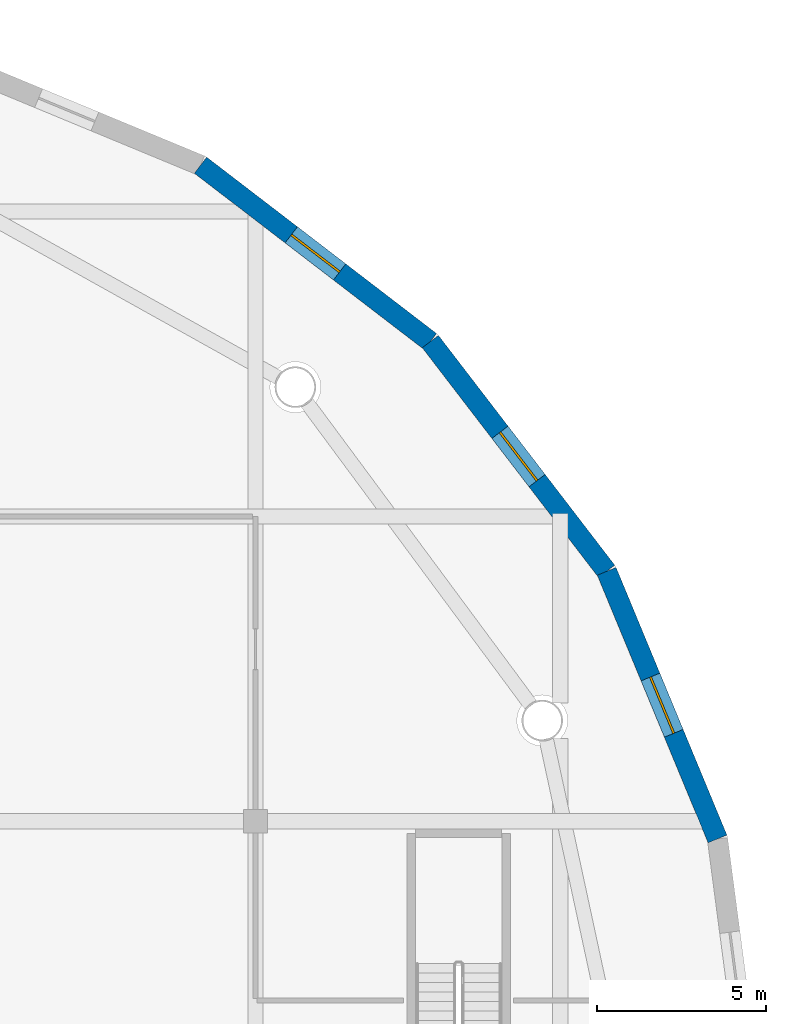
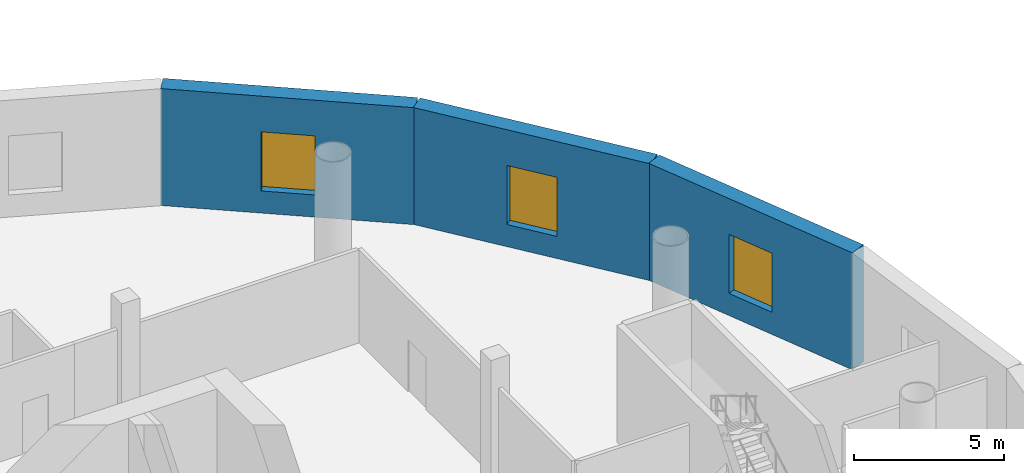
# One storey, part 12 of 22: 3 walls, 3 windows, 3 openings.
"""IFC4 building model written with IfcOpenShell, lengths in metres."""

import ifcopenshell
import ifcopenshell.guid

model = None  # the IFC model being written
_history = None  # IfcOwnerHistory: only IFC2X3 demands one
_inside = {}  # id of a spatial element -> (the spatial element, [elements in it])
_under = {}  # id of a project, library or spatial element -> (it, [spatial elements below it])
_declared = {}  # id of a project -> (the project, [libraries it declares])
_typed = {}  # id of a type object -> (the type object, [elements of that type])
_made_of = {}  # id of a material, layer set ... -> (it, [elements and type objects made of it])


def new_model(schema):
    """Start an empty IFC model of exactly this schema.

    Asked for "IFC4X3", IfcOpenShell would pick the latest addendum, in which some entities
    have other attributes; the version numbers below select the first issue.
    IFC2X3 requires an IfcOwnerHistory on every rooted entity: one is made here for all.
    """
    global model, _history
    if schema == "IFC4X3":
        model = ifcopenshell.file(schema_version=(4, 3, 0, 0))
    else:
        model = ifcopenshell.file(schema=schema)
    _inside.clear()
    _under.clear()
    _declared.clear()
    _typed.clear()
    _made_of.clear()
    _history = None
    if model.schema == "IFC2X3":
        org = make("IfcOrganization", Name="unknown")
        user = make(
            "IfcPersonAndOrganization",
            ThePerson=make("IfcPerson", FamilyName="unknown"),
            TheOrganization=org,
        )
        app = make(
            "IfcApplication",
            ApplicationDeveloper=org,
            Version="unknown",
            ApplicationFullName="unknown",
            ApplicationIdentifier="unknown",
        )
        _history = make(
            "IfcOwnerHistory",
            OwningUser=user,
            OwningApplication=app,
            ChangeAction="ADDED",
            CreationDate=0,
        )
    return model


def make(cls, **values):
    """One entity of the class cls with the attributes given. An attribute that is None is left unset."""
    return model.create_entity(
        cls, **{name: value for name, value in values.items() if value is not None}
    )


def rooted(cls, **values):
    """An entity with a GlobalId (a new one), such as an element, a storey or a relation."""
    return make(cls, GlobalId=ifcopenshell.guid.new(), OwnerHistory=_history, **values)


def si_unit(unit_type, name, prefix=None):
    """IfcSIUnit, for example si_unit("LENGTHUNIT", "METRE", prefix="MILLI")."""
    return make("IfcSIUnit", UnitType=unit_type, Prefix=prefix, Name=name)


def assignment(units):
    """IfcUnitAssignment: the units of a project."""
    return None if units is None else make("IfcUnitAssignment", Units=units)


def point(xyz):
    """IfcCartesianPoint."""
    return None if xyz is None else make("IfcCartesianPoint", Coordinates=xyz)


def direction(xyz):
    """IfcDirection."""
    return None if xyz is None else make("IfcDirection", DirectionRatios=xyz)


def frame(location, z_axis=None, x_axis=None):
    """IfcAxis2Placement3D, a coordinate frame: its origin and axes. An axis left out is left unset."""
    return make(
        "IfcAxis2Placement3D",
        Location=point(location),
        Axis=direction(z_axis),
        RefDirection=direction(x_axis),
    )


def frame_2d(location, x_axis=None):
    """IfcAxis2Placement2D, a coordinate frame in the plane: its origin and x axis."""
    return make(
        "IfcAxis2Placement2D", Location=point(location), RefDirection=direction(x_axis)
    )


def origin():
    """The frame at (0, 0, 0) with its axes left unset."""
    return frame((0.0, 0.0, 0.0))


def place(relative_to, where):
    """IfcLocalPlacement: puts the frame where relative to a parent placement (None: the world)."""
    return make(
        "IfcLocalPlacement", PlacementRelTo=relative_to, RelativePlacement=where
    )


def context(
    kind, dimensions, precision=None, world=None, true_north=None, identifier=None
):
    """IfcGeometricRepresentationContext, for example the 3D "Model" context."""
    return make(
        "IfcGeometricRepresentationContext",
        ContextIdentifier=identifier,
        ContextType=kind,
        CoordinateSpaceDimension=dimensions,
        Precision=precision,
        WorldCoordinateSystem=world,
        TrueNorth=true_north,
    )


def subcontext(parent, identifier, kind, view, scale=None):
    """IfcGeometricRepresentationSubContext, for example "Body" below "Model"."""
    return make(
        "IfcGeometricRepresentationSubContext",
        ContextIdentifier=identifier,
        ContextType=kind,
        ParentContext=parent,
        TargetScale=scale,
        TargetView=view,
    )


def project(units=None, contexts=None):
    """IfcProject with its units and contexts."""
    return rooted(
        "IfcProject",
        Name="project",
        RepresentationContexts=contexts,
        UnitsInContext=assignment(units),
    )


def spatial(cls, under=None, at=None, **own):
    """A site, building, storey or space (cls), placed at a placement, below another one or the project."""
    s = rooted(cls, ObjectPlacement=at, **own)
    if under is not None:
        _under.setdefault(under.id(), (under, []))[1].append(s)
    return s


def profile(cls, at=None, kind="AREA", **sizes):
    """A parametric profile (cls). Its sizes go by their IFC names, for example OverallWidth=200.0."""
    return make(cls, ProfileType=kind, Position=at, **sizes)


def rectangle(**sizes):
    """IfcRectangleProfileDef."""
    return profile("IfcRectangleProfileDef", **sizes)


def extrude(swept, where, along, depth):
    """IfcExtrudedAreaSolid: the profile swept, set in the frame where, extruded along a direction by depth."""
    return make(
        "IfcExtrudedAreaSolid",
        SweptArea=swept,
        Position=where,
        ExtrudedDirection=direction(along),
        Depth=depth,
    )


def shape(context_of_items, identifier, shape_type, items):
    """IfcShapeRepresentation: the items that make up one representation, for example the "Body"."""
    return make(
        "IfcShapeRepresentation",
        ContextOfItems=context_of_items,
        RepresentationIdentifier=identifier,
        RepresentationType=shape_type,
        Items=items,
    )


def material(Name=None, Category=None):
    """IfcMaterial."""
    return make("IfcMaterial", Name=Name, Category=Category)


def layer(
    of_material, thickness, ventilated=None, Name=None, Category=None, Priority=None
):
    """IfcMaterialLayer: one layer of a wall or slab, of a material (None: an air gap)."""
    return make(
        "IfcMaterialLayer",
        Material=of_material,
        LayerThickness=thickness,
        IsVentilated=ventilated,
        Name=Name,
        Category=Category,
        Priority=Priority,
    )


def layer_set(layers, Name=None):
    """IfcMaterialLayerSet."""
    return make("IfcMaterialLayerSet", MaterialLayers=layers, LayerSetName=Name)


def made_of(thing, what):
    """Note that an element or type object is made of a material, layer set ...; save() writes the relation."""
    if what is not None:
        _made_of.setdefault(what.id(), (what, []))[1].append(thing)
    return thing


def type_object(cls, material=None, **own):
    """A type object (cls), such as IfcWallType, which elements share."""
    return made_of(rooted(cls, **own), material)


def element(
    cls,
    number,
    at=None,
    inside=None,
    cuts=None,
    type_object=None,
    material=None,
    context=None,
    identifier="Body",
    shape_type=None,
    held_by="IfcProductDefinitionShape",
    body=None,
    shapes=None,
    **own,
):
    """One element of the class cls, such as IfcWall. Its Tag is "e" and its number.

    at: its placement. inside: the storey or other place that contains it. cuts: it is an
    opening in that element (IfcRelVoidsElement). A single representation is given by context,
    identifier, shape_type and body (its items); several are given by shapes. held_by: the class
    of the entity that holds the representations. save() writes the other relations.
    """
    e = rooted(cls, Tag="e%d" % number, ObjectPlacement=at, **own)
    if body is not None:
        shapes = [shape(context, identifier, shape_type, body)]
    if shapes is not None:
        e.Representation = make(held_by, Representations=shapes)
    if inside is not None:
        _inside.setdefault(inside.id(), (inside, []))[1].append(e)
    if cuts is not None:
        rooted(
            "IfcRelVoidsElement", RelatingBuildingElement=cuts, RelatedOpeningElement=e
        )
    if type_object is not None:
        _typed.setdefault(type_object.id(), (type_object, []))[1].append(e)
    return made_of(e, material)


def fill(opening, filler):
    """IfcRelFillsElement: the door or window that sits in an opening."""
    return rooted(
        "IfcRelFillsElement",
        RelatingOpeningElement=opening,
        RelatedBuildingElement=filler,
    )


def aggregate(whole, parts):
    """IfcRelAggregates: a whole, such as a stair, and the parts it consists of."""
    return rooted("IfcRelAggregates", RelatingObject=whole, RelatedObjects=parts)


def save(model, path):
    """Write the relations noted so far, then the file.

    IfcRelAggregates (storeys below a building ...), IfcRelContainedInSpatialStructure (elements
    in a storey), IfcRelDefinesByType, IfcRelAssociatesMaterial and IfcRelDeclares: one each for
    every whole, place, type object, material and project.
    """
    for whole, parts in _under.values():
        aggregate(whole, parts)
    for where, things in _inside.values():
        rooted(
            "IfcRelContainedInSpatialStructure",
            RelatedElements=things,
            RelatingStructure=where,
        )
    for kind, things in _typed.values():
        rooted("IfcRelDefinesByType", RelatedObjects=things, RelatingType=kind)
    for what, things in _made_of.values():
        rooted("IfcRelAssociatesMaterial", RelatedObjects=things, RelatingMaterial=what)
    for by, libraries in _declared.values():
        rooted("IfcRelDeclares", RelatingContext=by, RelatedDefinitions=libraries)
    model.write(path)


model = new_model("IFC4")

# Units and contexts
model_context = context("Model", 3, precision=1e-05, world=origin(), true_north=direction((0.0, 1.0)))
body_context = subcontext(model_context, "Body", "Model", "MODEL_VIEW")
ifc_project = project(units=[si_unit("LENGTHUNIT", "METRE"), si_unit("AREAUNIT", "SQUARE_METRE"), si_unit("VOLUMEUNIT", "CUBIC_METRE"), si_unit("PLANEANGLEUNIT", "RADIAN"), si_unit("MASSUNIT", "GRAM", prefix="KILO")], contexts=[model_context])

# Site, building, storey
site_placement = place(None, origin())
site = spatial("IfcSite", under=ifc_project, at=site_placement, CompositionType="ELEMENT")
building_placement = place(site_placement, origin())
building = spatial("IfcBuilding", under=site, at=building_placement, Name="Tarsis Ring Headquarters", CompositionType="ELEMENT")
storey_placement = place(building_placement, frame((0.0, 0.0, 25.0)))
storey = spatial("IfcBuildingStorey", under=building, at=storey_placement, Name="L04", CompositionType="ELEMENT", Elevation=25.0)

# Wall, opening, window
ifc_material_1 = material(Name="Concrete C60/75", Category="concrete")
ifc_layer = layer(ifc_material_1, 0.60009765625)
ifc_layer_set = layer_set([ifc_layer], Name="PO-W600")
wall_type = type_object("IfcWallType", Name="PO-W600", PredefinedType="SOLIDWALL", material=ifc_layer_set)
wall_1_placement = place(storey_placement, frame((31.6416015625, 8.478271484375, 0.0), z_axis=(0.0, 0.0, 1.0), x_axis=(-0.382674535665, 0.923883217595, 0.0)))
wall_1 = element("IfcWall", 1, at=wall_1_placement, inside=storey, type_object=wall_type, Name="L04 external wall 17", PredefinedType="SOLIDWALL", context=body_context, shape_type="SweptSolid", body=[
    extrude(rectangle(XDim=8.551513671875, YDim=0.60009765625, at=frame_2d((4.27587890625, 0.0))), origin(), (0.0, 0.0, 1.0), 4.75),
])
opening_1_placement = place(wall_1_placement, frame((3.375732421875, 0.0, 0.89990234375)))
opening_1 = element("IfcOpeningElement", 2, at=opening_1_placement, cuts=wall_1, Name="Opening PO-WN1", PredefinedType="OPENING", context=body_context, shape_type="SweptSolid", body=[
    extrude(rectangle(XDim=1.800048828125, YDim=2.39990234375, at=frame_2d((0.89990234375, 1.199951171875))), frame((0.0, 0.31005859375, 0.0), z_axis=(0.0, -1.0, 0.0), x_axis=(1.0, 0.0, 0.0)), (0.0, 0.0, 1.0), 0.6201171875),
])
ifc_material_2 = material(Name="Double glazing", Category="glass")
window_type = type_object("IfcWindowType", Name="PO-WN1800", PartitioningType="SINGLE_PANEL", PredefinedType="WINDOW", material=ifc_material_2)
window_1_placement = place(opening_1_placement, origin())
window_1 = element("IfcWindow", 3, at=window_1_placement, inside=storey, type_object=window_type, Name="L04 window 17.1", OverallHeight=2.39990234375, OverallWidth=1.800048828125, PartitioningType="SINGLE_PANEL", PredefinedType="WINDOW", context=body_context, shape_type="SweptSolid", body=[
    extrude(rectangle(XDim=1.800048828125, YDim=2.39990234375, at=frame_2d((0.89990234375, 1.199951171875))), frame((0.0, 0.030029296875, 0.0), z_axis=(0.0, -1.0, 0.0), x_axis=(1.0, 0.0, 0.0)), (0.0, 0.0, 1.0), 0.06005859375),
])
fill(opening_1, window_1)

wall_2_placement = place(storey_placement, frame((28.369140625, 16.37890625, 0.0), z_axis=(0.0, 0.0, 1.0), x_axis=(-0.608756942646, 0.793356782778, 0.0)))
wall_2 = element("IfcWall", 4, at=wall_2_placement, inside=storey, type_object=wall_type, Name="L04 external wall 18", PredefinedType="SOLIDWALL", context=body_context, shape_type="SweptSolid", body=[
    extrude(rectangle(XDim=8.551513671875, YDim=0.60009765625, at=frame_2d((4.27587890625, 0.0))), origin(), (0.0, 0.0, 1.0), 4.75),
])
opening_2_placement = place(wall_2_placement, frame((3.375732421875, 0.0, 0.89990234375)))
opening_2 = element("IfcOpeningElement", 5, at=opening_2_placement, cuts=wall_2, Name="Opening PO-WN1", PredefinedType="OPENING", context=body_context, shape_type="SweptSolid", body=[
    extrude(rectangle(XDim=1.800048828125, YDim=2.39990234375, at=frame_2d((0.89990234375, 1.199951171875))), frame((0.0, 0.31005859375, 0.0), z_axis=(0.0, -1.0, 0.0), x_axis=(1.0, 0.0, 0.0)), (0.0, 0.0, 1.0), 0.6201171875),
])
window_2_placement = place(opening_2_placement, origin())
window_2 = element("IfcWindow", 6, at=window_2_placement, inside=storey, type_object=window_type, Name="L04 window 18.1", OverallHeight=2.39990234375, OverallWidth=1.800048828125, PartitioningType="SINGLE_PANEL", PredefinedType="WINDOW", context=body_context, shape_type="SweptSolid", body=[
    extrude(rectangle(XDim=1.800048828125, YDim=2.39990234375, at=frame_2d((0.89990234375, 1.199951171875))), frame((0.0, 0.030029296875, 0.0), z_axis=(0.0, -1.0, 0.0), x_axis=(1.0, 0.0, 0.0)), (0.0, 0.0, 1.0), 0.06005859375),
])
fill(opening_2, window_2)

wall_3_placement = place(storey_placement, frame((23.163330078125, 23.163330078125, 0.0), z_axis=(0.0, 0.0, 1.0), x_axis=(-0.793356782778, 0.608756942646, 0.0)))
wall_3 = element("IfcWall", 7, at=wall_3_placement, inside=storey, type_object=wall_type, Name="L04 external wall 19", PredefinedType="SOLIDWALL", context=body_context, shape_type="SweptSolid", body=[
    extrude(rectangle(XDim=8.551513671875, YDim=0.60009765625, at=frame_2d((4.27587890625, 0.0))), origin(), (0.0, 0.0, 1.0), 4.75),
])
opening_3_placement = place(wall_3_placement, frame((3.375732421875, 0.0, 0.89990234375)))
opening_3 = element("IfcOpeningElement", 8, at=opening_3_placement, cuts=wall_3, Name="Opening PO-WN1", PredefinedType="OPENING", context=body_context, shape_type="SweptSolid", body=[
    extrude(rectangle(XDim=1.800048828125, YDim=2.39990234375, at=frame_2d((0.89990234375, 1.199951171875))), frame((0.0, 0.31005859375, 0.0), z_axis=(0.0, -1.0, 0.0), x_axis=(1.0, 0.0, 0.0)), (0.0, 0.0, 1.0), 0.6201171875),
])
window_3_placement = place(opening_3_placement, origin())
window_3 = element("IfcWindow", 9, at=window_3_placement, inside=storey, type_object=window_type, Name="L04 window 19.1", OverallHeight=2.39990234375, OverallWidth=1.800048828125, PartitioningType="SINGLE_PANEL", PredefinedType="WINDOW", context=body_context, shape_type="SweptSolid", body=[
    extrude(rectangle(XDim=1.800048828125, YDim=2.39990234375, at=frame_2d((0.89990234375, 1.199951171875))), frame((0.0, 0.030029296875, 0.0), z_axis=(0.0, -1.0, 0.0), x_axis=(1.0, 0.0, 0.0)), (0.0, 0.0, 1.0), 0.06005859375),
])
fill(opening_3, window_3)

save(model, "model.ifc")
